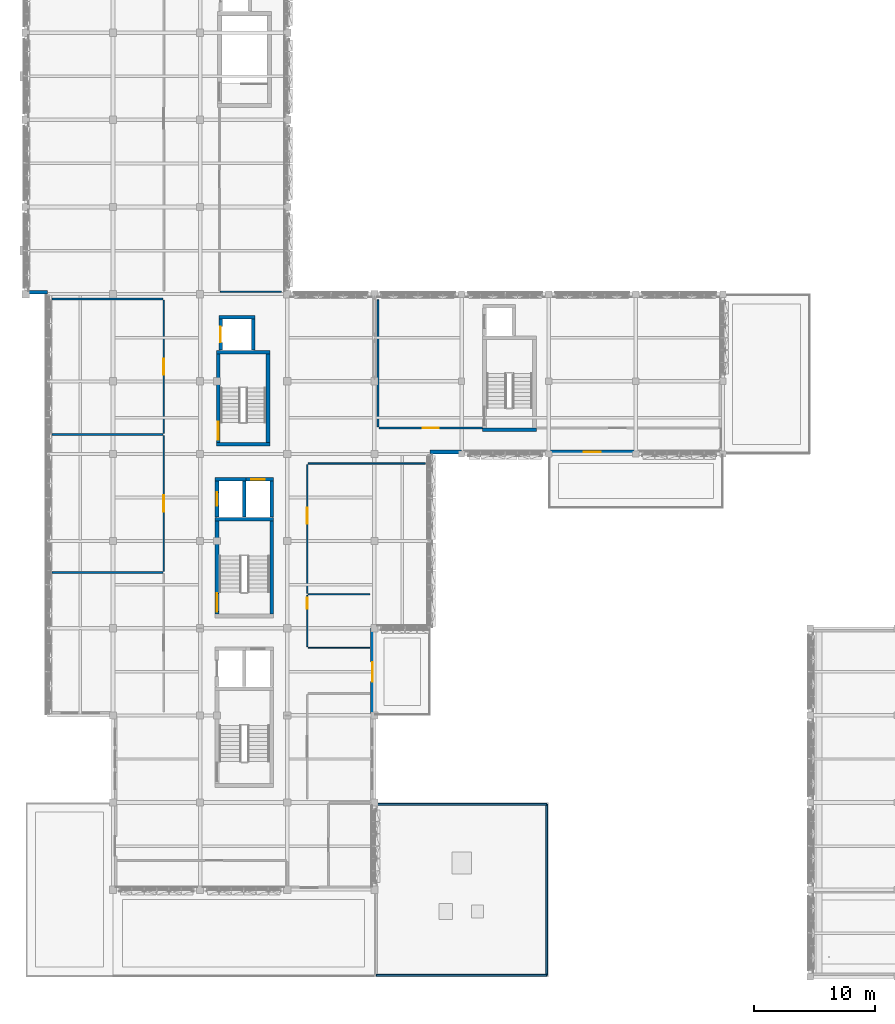
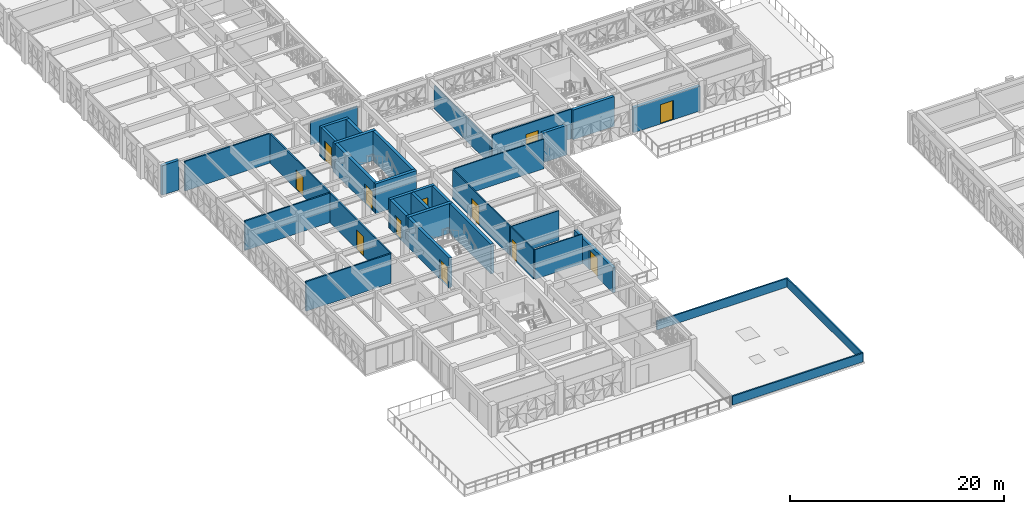
# One storey, part 41 of 74: 36 walls, 12 doors, 12 openings.
"""IFC4 building model written with IfcOpenShell, lengths in metres."""

from ifc_helpers import new_model, si_unit, direction, frame, frame_2d, origin, place, context, subcontext, project, spatial, rectangle, extrude, material, layer, layer_set, type_object, element, fill, save


model = new_model("IFC4")

# Units and contexts
model_context = context("Model", 3, precision=1e-05, world=origin(), true_north=direction((0.0, 1.0)))
body_context = subcontext(model_context, "Body", "Model", "MODEL_VIEW")
ifc_project = project(units=[si_unit("LENGTHUNIT", "METRE"), si_unit("AREAUNIT", "SQUARE_METRE"), si_unit("VOLUMEUNIT", "CUBIC_METRE"), si_unit("PLANEANGLEUNIT", "RADIAN"), si_unit("MASSUNIT", "GRAM", prefix="KILO")], contexts=[model_context])

# Site, building, storey
site_placement = place(None, origin())
site = spatial("IfcSite", under=ifc_project, at=site_placement, CompositionType="ELEMENT")
building_placement = place(site_placement, origin())
building = spatial("IfcBuilding", under=site, at=building_placement, Name="Alvorim Cloister Faculty of Sciences", CompositionType="ELEMENT")
storey_placement = place(building_placement, frame((0.0, 0.0, 15.75)))
storey = spatial("IfcBuildingStorey", under=building, at=storey_placement, Name="L04", CompositionType="ELEMENT", Elevation=15.75)

# Wall
ifc_material_1 = material(Name="Precast Concrete C40", Category="concrete")
ifc_layer_1 = layer(ifc_material_1, 0.320068359375)
ifc_layer_set_1 = layer_set([ifc_layer_1], Name="Precast Concrete C40")
wall_type_1 = type_object("IfcWallType", Name="WL-EXT-PC-320", PredefinedType="SOLIDWALL", material=ifc_layer_set_1)
wall_1_placement = place(storey_placement, frame((0.0, 56.56005859375, 0.0), z_axis=(0.0, 0.0, 1.0), x_axis=(1.0, 0.0, 0.0)))
element("IfcWall", 1, at=wall_1_placement, inside=storey, type_object=wall_type_1, Name="L04 Exterior Wall WL-0212", PredefinedType="SOLIDWALL", context=body_context, shape_type="SweptSolid", body=[
    extrude(rectangle(XDim=1.800048828125, YDim=0.320068359375, at=frame_2d((0.89990234375, 0.0))), origin(), (0.0, 0.0, 1.0), 3.3798828125),
])

# Wall, opening, door
wall_2_placement = place(storey_placement, frame((43.199951171875, 43.360107421875, 0.0), z_axis=(0.0, 0.0, 1.0), x_axis=(1.0, 0.0, 0.0)))
wall_2 = element("IfcWall", 2, at=wall_2_placement, inside=storey, type_object=wall_type_1, Name="L04 Exterior Wall WL-0214", PredefinedType="SOLIDWALL", context=body_context, shape_type="SweptSolid", body=[
    extrude(rectangle(XDim=7.199951171875, YDim=0.320068359375, at=frame_2d((3.60009765625, 0.0))), origin(), (0.0, 0.0, 1.0), 2.840087890625),
])
opening_1_placement = place(wall_2_placement, frame((2.89990234375, 0.0, 0.0)))
opening_1 = element("IfcOpeningElement", 3, at=opening_1_placement, cuts=wall_2, Name="Opening TD-08", PredefinedType="OPENING", context=body_context, shape_type="SweptSolid", body=[
    extrude(rectangle(XDim=1.39990234375, YDim=2.199951171875, at=frame_2d((0.699951171875, 1.10009765625))), frame((0.0, 0.171875, 0.0), z_axis=(0.0, -1.0, 0.0), x_axis=(1.0, 0.0, 0.0)), (0.0, 0.0, 1.0), 0.343994140625),
])
ifc_material_2 = material(Name="Aluminium Alloy 6063-T6", Category="aluminium")
door_type_1 = type_object("IfcDoorType", Name="DR-TER-1400x2200", OperationType="NOTDEFINED", PredefinedType="DOOR", material=ifc_material_2)
door_1_placement = place(opening_1_placement, origin())
door_1 = element("IfcDoor", 4, at=door_1_placement, inside=storey, type_object=door_type_1, Name="L04 North Cloister Cantilever Overlook Deck Access Door TD-08", OperationType="DOUBLE_DOOR_SINGLE_SWING", OverallHeight=2.199951171875, OverallWidth=1.39990234375, PredefinedType="DOOR", context=body_context, shape_type="SweptSolid", body=[
    extrude(rectangle(XDim=1.39990234375, YDim=2.199951171875, at=frame_2d((0.699951171875, 1.10009765625))), frame((0.0, 0.02490234375, 0.0), z_axis=(0.0, -1.0, 0.0), x_axis=(1.0, 0.0, 0.0)), (0.0, 0.0, 1.0), 0.050048828125),
])
fill(opening_1, door_1)

# Wall
wall_3_placement = place(storey_placement, frame((33.39990234375, 43.360107421875, 0.0), z_axis=(0.0, 0.0, 1.0), x_axis=(1.0, 0.0, 0.0)))
element("IfcWall", 5, at=wall_3_placement, inside=storey, type_object=wall_type_1, Name="L04 Exterior Wall WL-0215", PredefinedType="SOLIDWALL", context=body_context, shape_type="SweptSolid", body=[
    extrude(rectangle(XDim=2.60009765625, YDim=0.320068359375, at=frame_2d((1.300048828125, 0.0))), origin(), (0.0, 0.0, 1.0), 3.3798828125),
])

# Wall, opening, door
wall_4_placement = place(storey_placement, frame((28.639892578125, 21.60009765625, 0.0), z_axis=(0.0, 0.0, 1.0), x_axis=(0.0, 1.0, 0.0)))
wall_4 = element("IfcWall", 6, at=wall_4_placement, inside=storey, type_object=wall_type_1, Name="L04 Exterior Wall WL-0216", PredefinedType="SOLIDWALL", context=body_context, shape_type="SweptSolid", body=[
    extrude(rectangle(XDim=7.199951171875, YDim=0.320068359375, at=frame_2d((3.60009765625, 0.0))), origin(), (0.0, 0.0, 1.0), 2.840087890625),
])
opening_2_placement = place(wall_4_placement, frame((2.800048828125, 0.0, 0.0)))
opening_2 = element("IfcOpeningElement", 7, at=opening_2_placement, cuts=wall_4, Name="Opening TD-07", PredefinedType="OPENING", context=body_context, shape_type="SweptSolid", body=[
    extrude(rectangle(XDim=1.60009765625, YDim=2.25, at=frame_2d((0.800048828125, 1.125))), frame((0.0, 0.171875, 0.0), z_axis=(0.0, -1.0, 0.0), x_axis=(1.0, 0.0, 0.0)), (0.0, 0.0, 1.0), 0.343994140625),
])
door_type_2 = type_object("IfcDoorType", Name="DR-TER-1600x2250", OperationType="NOTDEFINED", PredefinedType="DOOR", material=ifc_material_2)
door_2_placement = place(opening_2_placement, origin())
door_2 = element("IfcDoor", 8, at=door_2_placement, inside=storey, type_object=door_type_2, Name="L04 East Cloister Cantilever Sky Terrace Access Door TD-07", OperationType="DOUBLE_DOOR_SINGLE_SWING", OverallHeight=2.25, OverallWidth=1.60009765625, PredefinedType="DOOR", context=body_context, shape_type="SweptSolid", body=[
    extrude(rectangle(XDim=1.60009765625, YDim=2.25, at=frame_2d((0.800048828125, 1.125))), frame((0.0, 0.02490234375, 0.0), z_axis=(0.0, -1.0, 0.0), x_axis=(1.0, 0.0, 0.0)), (0.0, 0.0, 1.0), 0.050048828125),
])
fill(opening_2, door_2)

# Walls
ifc_layer_2 = layer(ifc_material_1, 0.159912109375)
ifc_layer_set_2 = layer_set([ifc_layer_2], Name="Precast Concrete C40")
wall_type_2 = type_object("IfcWallType", Name="WL-PAR-160", PredefinedType="PARAPET", material=ifc_layer_set_2)
for number, where, z_axis, x_axis, name in (
    (9, (43.050048828125, 0.14990234375, 0.10009765625), (0.0, 0.0, 1.0), (0.0, 1.0, 0.0), "RF-V4S Roof Parapet WL-PAR-0255"),
    (10, (43.050048828125, 14.25, 0.10009765625), (0.0, 0.0, 1.0), (-1.0, 0.0, 0.0), "RF-V4S Roof Parapet WL-PAR-0256"),
    (11, (28.949951171875, 0.14990234375, 0.10009765625), (0.0, 0.0, 1.0), (1.0, 0.0, 0.0), "RF-V4S Roof Parapet WL-PAR-0258"),
):
    element("IfcWall", number, at=place(storey_placement, frame(where, z_axis=z_axis, x_axis=x_axis)), inside=storey, type_object=wall_type_2, Name=name, PredefinedType="PARAPET", context=body_context, shape_type="SweptSolid", body=[
        extrude(rectangle(XDim=14.10009765625, YDim=0.159912109375, at=frame_2d((7.050048828125, 0.0))), origin(), (0.0, 0.0, 1.0), 1.0),
    ])

# Wall, opening, door
ifc_material_3 = material(Name="Moisture-Resistant Tile Stud Partition", Category="gypsum")
ifc_layer_3 = layer(ifc_material_3, 0.10009765625)
ifc_layer_set_3 = layer_set([ifc_layer_3], Name="Moisture-Resistant Tile Stud Partition")
wall_type_3 = type_object("IfcWallType", Name="WL-PRT-100", PredefinedType="PARTITIONING", material=ifc_layer_set_3)
wall_5_placement = place(storey_placement, frame((23.25, 27.280029296875, 0.0), z_axis=(0.0, 0.0, 1.0), x_axis=(0.0, 1.0, 0.0)))
wall_5 = element("IfcWall", 12, at=wall_5_placement, inside=storey, type_object=wall_type_3, Name="L04 L04 Accessible WCs Partition IWL-0626", PredefinedType="PARTITIONING", context=body_context, shape_type="SweptSolid", body=[
    extrude(rectangle(XDim=4.239990234375, YDim=0.10009765625, at=frame_2d((2.1201171875, 0.0))), origin(), (0.0, 0.0, 1.0), 3.375),
])
opening_3_placement = place(wall_5_placement, frame((3.1201171875, 0.0, 0.0)))
opening_3 = element("IfcOpeningElement", 13, at=opening_3_placement, cuts=wall_5, Name="Opening D-L04-171", PredefinedType="OPENING", context=body_context, shape_type="SweptSolid", body=[
    extrude(rectangle(XDim=0.89990234375, YDim=2.10009765625, at=frame_2d((0.449951171875, 1.050048828125))), frame((0.0, 0.06201171875, 0.0), z_axis=(0.0, -1.0, 0.0), x_axis=(1.0, 0.0, 0.0)), (0.0, 0.0, 1.0), 0.1240234375),
])
ifc_material_4 = material(Name="Moisture-Resistant Laminate Timber", Category="wood")
door_type_3 = type_object("IfcDoorType", Name="DR-WC-900x2100", OperationType="NOTDEFINED", PredefinedType="DOOR", material=ifc_material_4)
door_3_placement = place(opening_3_placement, origin())
door_3 = element("IfcDoor", 14, at=door_3_placement, inside=storey, type_object=door_type_3, Name="L04 Accessible WCs Door D-L04-171", OperationType="SINGLE_SWING_LEFT", OverallHeight=2.10009765625, OverallWidth=0.89990234375, PredefinedType="DOOR", context=body_context, shape_type="SweptSolid", body=[
    extrude(rectangle(XDim=0.89990234375, YDim=2.10009765625, at=frame_2d((0.449951171875, 1.050048828125))), frame((0.0, 0.02490234375, 0.0), z_axis=(0.0, -1.0, 0.0), x_axis=(1.0, 0.0, 0.0)), (0.0, 0.0, 1.0), 0.050048828125),
])
fill(opening_3, door_3)

# Walls
for number, where, z_axis, x_axis, name in (
    (15, (23.330078125, 27.199951171875, 0.0), (0.0, 0.0, 1.0), (1.0, 0.0, 0.0), "L04 L04 Accessible WCs Partition IWL-0627"),
    (16, (23.330078125, 31.60009765625, 0.0), (0.0, 0.0, 1.0), (1.0, 0.0, 0.0), "L04 L04 Accessible WCs Partition IWL-0628"),
):
    element("IfcWall", number, at=place(storey_placement, frame(where, z_axis=z_axis, x_axis=x_axis)), inside=storey, type_object=wall_type_3, Name=name, PredefinedType="PARTITIONING", context=body_context, shape_type="SweptSolid", body=[
        extrude(rectangle(XDim=5.08984375, YDim=0.10009765625, at=frame_2d((2.544921875, 0.0))), origin(), (0.0, 0.0, 1.0), 3.375),
    ])

# Wall, opening, door
ifc_material_5 = material(Name="Acoustic Gypsum Stud Partition", Category="gypsum")
ifc_layer_4 = layer(ifc_material_5, 0.1201171875)
ifc_layer_set_4 = layer_set([ifc_layer_4], Name="Acoustic Gypsum Stud Partition")
wall_type_4 = type_object("IfcWallType", Name="WL-PRT-120", PredefinedType="PARTITIONING", material=ifc_layer_set_4)
wall_6_placement = place(storey_placement, frame((23.25, 31.679931640625, 0.0), z_axis=(0.0, 0.0, 1.0), x_axis=(0.0, 1.0, 0.0)))
wall_6 = element("IfcWall", 17, at=wall_6_placement, inside=storey, type_object=wall_type_4, Name="L04 East Cantilevered Cloister Colloquium Partition IWL-0629", PredefinedType="PARTITIONING", context=body_context, shape_type="SweptSolid", body=[
    extrude(rectangle(XDim=10.64013671875, YDim=0.1201171875, at=frame_2d((5.320068359375, 0.0))), origin(), (0.0, 0.0, 1.0), 3.375),
])
opening_4_placement = place(wall_6_placement, frame((5.77001953125, 0.0, 0.0)))
opening_4 = element("IfcOpeningElement", 18, at=opening_4_placement, cuts=wall_6, Name="Opening D-L04-172", PredefinedType="OPENING", context=body_context, shape_type="SweptSolid", body=[
    extrude(rectangle(XDim=1.320068359375, YDim=2.199951171875, at=frame_2d((0.66015625, 1.10009765625))), frame((0.0, 0.072021484375, 0.0), z_axis=(0.0, -1.0, 0.0), x_axis=(1.0, 0.0, 0.0)), (0.0, 0.0, 1.0), 0.14404296875),
])
ifc_material_6 = material(Name="Solid Acoustic Oak Timber", Category="wood")
door_type_4 = type_object("IfcDoorType", Name="DR-SEM-1320x2200", OperationType="NOTDEFINED", PredefinedType="DOOR", material=ifc_material_6)
door_4_placement = place(opening_4_placement, origin())
door_4 = element("IfcDoor", 19, at=door_4_placement, inside=storey, type_object=door_type_4, Name="East Cantilevered Cloister Colloquium Door D-L04-172", OperationType="SINGLE_SWING_RIGHT", OverallHeight=2.199951171875, OverallWidth=1.320068359375, PredefinedType="DOOR", context=body_context, shape_type="SweptSolid", body=[
    extrude(rectangle(XDim=1.320068359375, YDim=2.199951171875, at=frame_2d((0.66015625, 1.10009765625))), frame((0.0, 0.02490234375, 0.0), z_axis=(0.0, -1.0, 0.0), x_axis=(1.0, 0.0, 0.0)), (0.0, 0.0, 1.0), 0.050048828125),
])
fill(opening_4, door_4)

# Walls
wall_7_placement = place(storey_placement, frame((23.330078125, 42.39990234375, 0.0), z_axis=(0.0, 0.0, 1.0), x_axis=(1.0, 0.0, 0.0)))
element("IfcWall", 20, at=wall_7_placement, inside=storey, type_object=wall_type_4, Name="L04 East Cantilevered Cloister Colloquium Partition IWL-0630", PredefinedType="PARTITIONING", context=body_context, shape_type="SweptSolid", body=[
    extrude(rectangle(XDim=9.68994140625, YDim=0.1201171875, at=frame_2d((4.844970703125, 0.0))), origin(), (0.0, 0.0, 1.0), 3.375),
])
wall_8_placement = place(storey_placement, frame((16.080078125, 56.60009765625, 0.0), z_axis=(0.0, 0.0, 1.0), x_axis=(1.0, 0.0, 0.0)))
element("IfcWall", 21, at=wall_8_placement, inside=storey, type_object=wall_type_4, Name="L04 High-Performance Scientific Computing Room Partition IWL-0638", PredefinedType="PARTITIONING", context=body_context, shape_type="SweptSolid", body=[
    extrude(rectangle(XDim=5.0400390625, YDim=0.1201171875, at=frame_2d((2.52001953125, 0.0))), origin(), (0.0, 0.0, 1.0), 2.69091796875),
])
ifc_material_7 = material(Name="Gypsum Fireboard Stud Partition", Category="gypsum")
ifc_layer_5 = layer(ifc_material_7, 0.14990234375)
ifc_layer_set_5 = layer_set([ifc_layer_5], Name="Gypsum Fireboard Stud Partition")
wall_type_5 = type_object("IfcWallType", Name="WL-PRT-150", PredefinedType="PARTITIONING", material=ifc_layer_set_5)
wall_9_placement = place(storey_placement, frame((2.179931640625, 33.39990234375, 0.0), z_axis=(0.0, 0.0, 1.0), x_axis=(1.0, 0.0, 0.0)))
element("IfcWall", 22, at=wall_9_placement, inside=storey, type_object=wall_type_5, Name="L04 Cantilevered Atmospheric Chemistry Lab Partition IWL-0619", PredefinedType="PARTITIONING", context=body_context, shape_type="SweptSolid", body=[
    extrude(rectangle(XDim=9.14013671875, YDim=0.14990234375, at=frame_2d((4.570068359375, 0.0))), origin(), (0.0, 0.0, 1.0), 3.375),
])

# Wall, opening, door
wall_10_placement = place(storey_placement, frame((11.39990234375, 33.47998046875, 0.0), z_axis=(0.0, 0.0, 1.0), x_axis=(0.0, 1.0, 0.0)))
wall_10 = element("IfcWall", 23, at=wall_10_placement, inside=storey, type_object=wall_type_5, Name="L04 Cantilevered Environmental Genomics Lab Partition IWL-0620", PredefinedType="PARTITIONING", context=body_context, shape_type="SweptSolid", body=[
    extrude(rectangle(XDim=11.239990234375, YDim=0.14990234375, at=frame_2d((5.6201171875, 0.0))), origin(), (0.0, 0.0, 1.0), 3.375),
])
opening_5_placement = place(wall_10_placement, frame((4.945068359375, 0.0, 0.0)))
opening_5 = element("IfcOpeningElement", 24, at=opening_5_placement, cuts=wall_10, Name="Opening D-L04-168", PredefinedType="OPENING", context=body_context, shape_type="SweptSolid", body=[
    extrude(rectangle(XDim=1.35009765625, YDim=2.199951171875, at=frame_2d((0.675048828125, 1.10009765625))), frame((0.0, 0.0869140625, 0.0), z_axis=(0.0, -1.0, 0.0), x_axis=(1.0, 0.0, 0.0)), (0.0, 0.0, 1.0), 0.173828125),
])
ifc_material_8 = material(Name="Fire-Rated Laminate Timber", Category="wood")
door_type_5 = type_object("IfcDoorType", Name="DR-LAB-1350x2200", OperationType="NOTDEFINED", PredefinedType="DOOR", material=ifc_material_8)
door_5_placement = place(opening_5_placement, origin())
door_5 = element("IfcDoor", 25, at=door_5_placement, inside=storey, type_object=door_type_5, Name="Cantilevered Environmental Genomics Lab Door D-L04-168", OperationType="SINGLE_SWING_LEFT", OverallHeight=2.199951171875, OverallWidth=1.35009765625, PredefinedType="DOOR", context=body_context, shape_type="SweptSolid", body=[
    extrude(rectangle(XDim=1.35009765625, YDim=2.199951171875, at=frame_2d((0.675048828125, 1.10009765625))), frame((0.0, 0.02490234375, 0.0), z_axis=(0.0, -1.0, 0.0), x_axis=(1.0, 0.0, 0.0)), (0.0, 0.0, 1.0), 0.050048828125),
])
fill(opening_5, door_5)

# Wall
wall_11_placement = place(storey_placement, frame((2.179931640625, 44.800048828125, 0.0), z_axis=(0.0, 0.0, 1.0), x_axis=(1.0, 0.0, 0.0)))
element("IfcWall", 26, at=wall_11_placement, inside=storey, type_object=wall_type_5, Name="L04 Cantilevered Environmental Genomics Lab Partition IWL-0621", PredefinedType="PARTITIONING", context=body_context, shape_type="SweptSolid", body=[
    extrude(rectangle(XDim=9.14013671875, YDim=0.14990234375, at=frame_2d((4.570068359375, 0.0))), origin(), (0.0, 0.0, 1.0), 3.375),
])

# Wall, opening, door
wall_12_placement = place(storey_placement, frame((11.39990234375, 44.8798828125, 0.0), z_axis=(0.0, 0.0, 1.0), x_axis=(0.0, 1.0, 0.0)))
wall_12 = element("IfcWall", 27, at=wall_12_placement, inside=storey, type_object=wall_type_5, Name="L04 Cantilevered Cleanroom Trace-Metal Lab Partition IWL-0622", PredefinedType="PARTITIONING", context=body_context, shape_type="SweptSolid", body=[
    extrude(rectangle(XDim=11.0400390625, YDim=0.14990234375, at=frame_2d((5.52001953125, 0.0))), origin(), (0.0, 0.0, 1.0), 3.375),
])
opening_6_placement = place(wall_12_placement, frame((4.844970703125, 0.0, 0.0)))
opening_6 = element("IfcOpeningElement", 28, at=opening_6_placement, cuts=wall_12, Name="Opening D-L04-169", PredefinedType="OPENING", context=body_context, shape_type="SweptSolid", body=[
    extrude(rectangle(XDim=1.35009765625, YDim=2.199951171875, at=frame_2d((0.675048828125, 1.10009765625))), frame((0.0, 0.0869140625, 0.0), z_axis=(0.0, -1.0, 0.0), x_axis=(1.0, 0.0, 0.0)), (0.0, 0.0, 1.0), 0.173828125),
])
door_6_placement = place(opening_6_placement, origin())
door_6 = element("IfcDoor", 29, at=door_6_placement, inside=storey, type_object=door_type_5, Name="Cantilevered Cleanroom Trace-Metal Lab Door D-L04-169", OperationType="SINGLE_SWING_RIGHT", OverallHeight=2.199951171875, OverallWidth=1.35009765625, PredefinedType="DOOR", context=body_context, shape_type="SweptSolid", body=[
    extrude(rectangle(XDim=1.35009765625, YDim=2.199951171875, at=frame_2d((0.675048828125, 1.10009765625))), frame((0.0, 0.02490234375, 0.0), z_axis=(0.0, -1.0, 0.0), x_axis=(1.0, 0.0, 0.0)), (0.0, 0.0, 1.0), 0.050048828125),
])
fill(opening_6, door_6)

# Walls
wall_13_placement = place(storey_placement, frame((2.179931640625, 56.0, 0.0), z_axis=(0.0, 0.0, 1.0), x_axis=(1.0, 0.0, 0.0)))
element("IfcWall", 30, at=wall_13_placement, inside=storey, type_object=wall_type_5, Name="L04 Cantilevered Cleanroom Trace-Metal Lab Partition IWL-0623", PredefinedType="PARTITIONING", context=body_context, shape_type="SweptSolid", body=[
    extrude(rectangle(XDim=9.14013671875, YDim=0.14990234375, at=frame_2d((4.570068359375, 0.0))), origin(), (0.0, 0.0, 1.0), 3.375),
])
wall_14_placement = place(storey_placement, frame((29.10009765625, 45.429931640625, 0.0), z_axis=(0.0, 0.0, 1.0), x_axis=(0.0, 1.0, 0.0)))
element("IfcWall", 31, at=wall_14_placement, inside=storey, type_object=wall_type_5, Name="L04 Biochemistry Proteomics Lab Partition IWL-0631", PredefinedType="PARTITIONING", context=body_context, shape_type="SweptSolid", body=[
    extrude(rectangle(XDim=10.489990234375, YDim=0.14990234375, at=frame_2d((5.2451171875, 0.0))), origin(), (0.0, 0.0, 1.0), 2.655029296875),
])

# Wall, opening, door
wall_15_placement = place(storey_placement, frame((29.179931640625, 45.35009765625, 0.0), z_axis=(0.0, 0.0, 1.0), x_axis=(1.0, 0.0, 0.0)))
wall_15 = element("IfcWall", 32, at=wall_15_placement, inside=storey, type_object=wall_type_5, Name="L04 Biochemistry Proteomics Lab Partition IWL-0632", PredefinedType="PARTITIONING", context=body_context, shape_type="SweptSolid", body=[
    extrude(rectangle(XDim=8.5400390625, YDim=0.14990234375, at=frame_2d((4.27001953125, 0.0))), origin(), (0.0, 0.0, 1.0), 3.375),
])
opening_7_placement = place(wall_15_placement, frame((3.594970703125, 0.0, 0.0)))
opening_7 = element("IfcOpeningElement", 33, at=opening_7_placement, cuts=wall_15, Name="Opening D-L04-173", PredefinedType="OPENING", context=body_context, shape_type="SweptSolid", body=[
    extrude(rectangle(XDim=1.35009765625, YDim=2.199951171875, at=frame_2d((0.675048828125, 1.10009765625))), frame((0.0, 0.0869140625, 0.0), z_axis=(0.0, -1.0, 0.0), x_axis=(1.0, 0.0, 0.0)), (0.0, 0.0, 1.0), 0.173828125),
])
door_7_placement = place(opening_7_placement, origin())
door_7 = element("IfcDoor", 34, at=door_7_placement, inside=storey, type_object=door_type_5, Name="Biochemistry Proteomics Lab Door D-L04-173", OperationType="SINGLE_SWING_LEFT", OverallHeight=2.199951171875, OverallWidth=1.35009765625, PredefinedType="DOOR", context=body_context, shape_type="SweptSolid", body=[
    extrude(rectangle(XDim=1.35009765625, YDim=2.199951171875, at=frame_2d((0.675048828125, 1.10009765625))), frame((0.0, 0.02490234375, 0.0), z_axis=(0.0, -1.0, 0.0), x_axis=(1.0, 0.0, 0.0)), (0.0, 0.0, 1.0), 0.050048828125),
])
fill(opening_7, door_7)

# Wall
ifc_material_9 = material(Name="Concrete C40", Category="concrete")
ifc_layer_6 = layer(ifc_material_9, 0.300048828125)
ifc_layer_set_6 = layer_set([ifc_layer_6], Name="Concrete C40")
wall_type_6 = type_object("IfcWallType", Name="WL-SHR-300", PredefinedType="SHEAR", material=ifc_layer_set_6)
wall_16_placement = place(storey_placement, frame((15.64990234375, 41.10009765625, 0.0), z_axis=(0.0, 0.0, 1.0), x_axis=(1.0, 0.0, 0.0)))
element("IfcWall", 35, at=wall_16_placement, inside=storey, type_object=wall_type_6, Name="L04 Lift LP-02 Shaft Wall IWL-0303", PredefinedType="SHEAR", context=body_context, shape_type="SweptSolid", body=[
    extrude(rectangle(XDim=2.56005859375, YDim=0.300048828125, at=frame_2d((1.280029296875, 0.0))), origin(), (0.0, 0.0, 1.0), 3.389892578125),
])

# Wall, opening, door
wall_17_placement = place(storey_placement, frame((15.800048828125, 37.97998046875, 0.0), z_axis=(0.0, 0.0, 1.0), x_axis=(0.0, 1.0, 0.0)))
wall_17 = element("IfcWall", 36, at=wall_17_placement, inside=storey, type_object=wall_type_6, Name="L04 Lift LP-02 Shaft Wall IWL-0304", PredefinedType="SHEAR", context=body_context, shape_type="SweptSolid", body=[
    extrude(rectangle(XDim=2.969970703125, YDim=0.300048828125, at=frame_2d((1.48486328125, 0.0))), origin(), (0.0, 0.0, 1.0), 3.389892578125),
])
opening_8_placement = place(wall_17_placement, frame((0.93505859375, 0.0, 0.0)))
opening_8 = element("IfcOpeningElement", 37, at=opening_8_placement, cuts=wall_17, Name="Opening LD-028", PredefinedType="OPENING", context=body_context, shape_type="SweptSolid", body=[
    extrude(rectangle(XDim=1.10009765625, YDim=2.199951171875, at=frame_2d((0.550048828125, 1.10009765625))), frame((0.0, 0.162109375, 0.0), z_axis=(0.0, -1.0, 0.0), x_axis=(1.0, 0.0, 0.0)), (0.0, 0.0, 1.0), 0.323974609375),
])
ifc_material_10 = material(Name="Brushed Stainless Steel", Category="steel")
door_type_6 = type_object("IfcDoorType", Name="DR-LFT-1100x2200", OperationType="NOTDEFINED", PredefinedType="DOOR", material=ifc_material_10)
door_8_placement = place(opening_8_placement, origin())
door_8 = element("IfcDoor", 38, at=door_8_placement, inside=storey, type_object=door_type_6, Name="L04 Lift LP-02 Sliding Landing Door LD-028", OperationType="DOUBLE_DOOR_SLIDING", OverallHeight=2.199951171875, OverallWidth=1.10009765625, PredefinedType="DOOR", context=body_context, shape_type="SweptSolid", body=[
    extrude(rectangle(XDim=1.10009765625, YDim=2.199951171875, at=frame_2d((0.550048828125, 1.10009765625))), frame((0.0, 0.02490234375, 0.0), z_axis=(0.0, -1.0, 0.0), x_axis=(1.0, 0.0, 0.0)), (0.0, 0.0, 1.0), 0.050048828125),
])
fill(opening_8, door_8)

# Wall
wall_18_placement = place(storey_placement, frame((18.06005859375, 37.97998046875, 0.0), z_axis=(0.0, 0.0, 1.0), x_axis=(0.0, 1.0, 0.0)))
element("IfcWall", 39, at=wall_18_placement, inside=storey, type_object=wall_type_6, Name="L04 Lift LP-02 Shaft Wall IWL-0305", PredefinedType="SHEAR", context=body_context, shape_type="SweptSolid", body=[
    extrude(rectangle(XDim=2.969970703125, YDim=0.300048828125, at=frame_2d((1.48486328125, 0.0))), origin(), (0.0, 0.0, 1.0), 3.389892578125),
])

# Wall, opening, door
wall_19_placement = place(storey_placement, frame((17.909912109375, 41.10009765625, 0.0), z_axis=(0.0, 0.0, 1.0), x_axis=(1.0, 0.0, 0.0)))
wall_19 = element("IfcWall", 40, at=wall_19_placement, inside=storey, type_object=wall_type_6, Name="L04 Lift LP-03 Shaft Wall IWL-0328", PredefinedType="SHEAR", context=body_context, shape_type="SweptSolid", body=[
    extrude(rectangle(XDim=2.56005859375, YDim=0.300048828125, at=frame_2d((1.280029296875, 0.0))), origin(), (0.0, 0.0, 1.0), 3.389892578125),
])
opening_9_placement = place(wall_19_placement, frame((0.72998046875, 0.0, 0.0)))
opening_9 = element("IfcOpeningElement", 41, at=opening_9_placement, cuts=wall_19, Name="Opening LD-038", PredefinedType="OPENING", context=body_context, shape_type="SweptSolid", body=[
    extrude(rectangle(XDim=1.10009765625, YDim=2.199951171875, at=frame_2d((0.550048828125, 1.10009765625))), frame((0.0, 0.162109375, 0.0), z_axis=(0.0, -1.0, 0.0), x_axis=(1.0, 0.0, 0.0)), (0.0, 0.0, 1.0), 0.323974609375),
])
door_9_placement = place(opening_9_placement, origin())
door_9 = element("IfcDoor", 42, at=door_9_placement, inside=storey, type_object=door_type_6, Name="L04 Lift LP-03 Sliding Landing Door LD-038", OperationType="DOUBLE_DOOR_SLIDING", OverallHeight=2.199951171875, OverallWidth=1.10009765625, PredefinedType="DOOR", context=body_context, shape_type="SweptSolid", body=[
    extrude(rectangle(XDim=1.10009765625, YDim=2.199951171875, at=frame_2d((0.550048828125, 1.10009765625))), frame((0.0, 0.02490234375, 0.0), z_axis=(0.0, -1.0, 0.0), x_axis=(1.0, 0.0, 0.0)), (0.0, 0.0, 1.0), 0.050048828125),
])
fill(opening_9, door_9)

# Walls
wall_20_placement = place(storey_placement, frame((20.320068359375, 37.97998046875, 0.0), z_axis=(0.0, 0.0, 1.0), x_axis=(0.0, 1.0, 0.0)))
element("IfcWall", 43, at=wall_20_placement, inside=storey, type_object=wall_type_6, Name="L04 Lift LP-03 Shaft Wall IWL-0329", PredefinedType="SHEAR", context=body_context, shape_type="SweptSolid", body=[
    extrude(rectangle(XDim=2.969970703125, YDim=0.300048828125, at=frame_2d((1.48486328125, 0.0))), origin(), (0.0, 0.0, 1.0), 3.389892578125),
])
wall_21_placement = place(storey_placement, frame((15.949951171875, 54.5, 0.0), z_axis=(0.0, 0.0, 1.0), x_axis=(1.0, 0.0, 0.0)))
element("IfcWall", 44, at=wall_21_placement, inside=storey, type_object=wall_type_6, Name="L04 Lift LG-01 Shaft Wall IWL-0395", PredefinedType="SHEAR", context=body_context, shape_type="SweptSolid", body=[
    extrude(rectangle(XDim=3.0, YDim=0.300048828125, at=frame_2d((1.5, 0.0))), origin(), (0.0, 0.0, 1.0), 3.389892578125),
])

# Wall, opening, door
wall_22_placement = place(storey_placement, frame((16.10009765625, 51.780029296875, 0.0), z_axis=(0.0, 0.0, 1.0), x_axis=(0.0, 1.0, 0.0)))
wall_22 = element("IfcWall", 45, at=wall_22_placement, inside=storey, type_object=wall_type_6, Name="L04 Lift LG-01 Shaft Wall IWL-0396", PredefinedType="SHEAR", context=body_context, shape_type="SweptSolid", body=[
    extrude(rectangle(XDim=2.570068359375, YDim=0.300048828125, at=frame_2d((1.28515625, 0.0))), origin(), (0.0, 0.0, 1.0), 3.389892578125),
])
opening_10_placement = place(wall_22_placement, frame((0.635009765625, 0.0, 0.0)))
opening_10 = element("IfcOpeningElement", 46, at=opening_10_placement, cuts=wall_22, Name="Opening LD-062", PredefinedType="OPENING", context=body_context, shape_type="SweptSolid", body=[
    extrude(rectangle(XDim=1.300048828125, YDim=2.25, at=frame_2d((0.64990234375, 1.125))), frame((0.0, 0.162109375, 0.0), z_axis=(0.0, -1.0, 0.0), x_axis=(1.0, 0.0, 0.0)), (0.0, 0.0, 1.0), 0.323974609375),
])
door_type_7 = type_object("IfcDoorType", Name="DR-LFT-1300x2250", OperationType="NOTDEFINED", PredefinedType="DOOR", material=ifc_material_10)
door_10_placement = place(opening_10_placement, origin())
door_10 = element("IfcDoor", 47, at=door_10_placement, inside=storey, type_object=door_type_7, Name="L04 Lift LG-01 Sliding Landing Door LD-062", OperationType="DOUBLE_DOOR_SLIDING", OverallHeight=2.25, OverallWidth=1.300048828125, PredefinedType="DOOR", context=body_context, shape_type="SweptSolid", body=[
    extrude(rectangle(XDim=1.300048828125, YDim=2.25, at=frame_2d((0.64990234375, 1.125))), frame((0.0, 0.02490234375, 0.0), z_axis=(0.0, -1.0, 0.0), x_axis=(1.0, 0.0, 0.0)), (0.0, 0.0, 1.0), 0.050048828125),
])
fill(opening_10, door_10)

# Walls
wall_23_placement = place(storey_placement, frame((18.800048828125, 51.780029296875, 0.0), z_axis=(0.0, 0.0, 1.0), x_axis=(0.0, 1.0, 0.0)))
element("IfcWall", 48, at=wall_23_placement, inside=storey, type_object=wall_type_6, Name="L04 Lift LG-01 Shaft Wall IWL-0397", PredefinedType="SHEAR", context=body_context, shape_type="SweptSolid", body=[
    extrude(rectangle(XDim=2.570068359375, YDim=0.300048828125, at=frame_2d((1.28515625, 0.0))), origin(), (0.0, 0.0, 1.0), 3.389892578125),
])
ifc_layer_7 = layer(ifc_material_9, 0.320068359375)
ifc_layer_set_7 = layer_set([ifc_layer_7], Name="Concrete C40")
wall_type_7 = type_object("IfcWallType", Name="WL-SHR-320", PredefinedType="SHEAR", material=ifc_layer_set_7)
wall_24_placement = place(storey_placement, frame((15.639892578125, 37.800048828125, 0.0), z_axis=(0.0, 0.0, 1.0), x_axis=(1.0, 0.0, 0.0)))
element("IfcWall", 49, at=wall_24_placement, inside=storey, type_object=wall_type_7, Name="L04 CORE K2 Shear Wall IWL-0066", PredefinedType="SHEAR", context=body_context, shape_type="SweptSolid", body=[
    extrude(rectangle(XDim=4.840087890625, YDim=0.320068359375, at=frame_2d((2.419921875, 0.0))), origin(), (0.0, 0.0, 1.0), 3.389892578125),
])

# Wall, opening, door
wall_25_placement = place(storey_placement, frame((15.800048828125, 29.9599609375, 0.0), z_axis=(0.0, 0.0, 1.0), x_axis=(0.0, 1.0, 0.0)))
wall_25 = element("IfcWall", 50, at=wall_25_placement, inside=storey, type_object=wall_type_7, Name="L04 CORE K2 Shear Wall IWL-0067", PredefinedType="SHEAR", context=body_context, shape_type="SweptSolid", body=[
    extrude(rectangle(XDim=7.679931640625, YDim=0.320068359375, at=frame_2d((3.83984375, 0.0))), origin(), (0.0, 0.0, 1.0), 3.389892578125),
])
opening_11_placement = place(wall_25_placement, frame((0.219970703125, 0.0, 0.0)))
opening_11 = element("IfcOpeningElement", 51, at=opening_11_placement, cuts=wall_25, Name="Opening SD-K2-L04", PredefinedType="OPENING", context=body_context, shape_type="SweptSolid", body=[
    extrude(rectangle(XDim=1.5, YDim=2.199951171875, at=frame_2d((0.75, 1.10009765625))), frame((0.0, 0.171875, 0.0), z_axis=(0.0, -1.0, 0.0), x_axis=(1.0, 0.0, 0.0)), (0.0, 0.0, 1.0), 0.343994140625),
])
ifc_material_11 = material(Name="Galvanised Fire-Rated Steel", Category="steel")
door_type_8 = type_object("IfcDoorType", Name="DR-STR-1500x2200", OperationType="NOTDEFINED", PredefinedType="DOOR", material=ifc_material_11)
door_11_placement = place(opening_11_placement, origin())
door_11 = element("IfcDoor", 52, at=door_11_placement, inside=storey, type_object=door_type_8, Name="L04 Stair ST-02 Fire Door SD-K2-L04", OperationType="DOUBLE_DOOR_SINGLE_SWING", OverallHeight=2.199951171875, OverallWidth=1.5, PredefinedType="DOOR", context=body_context, shape_type="SweptSolid", body=[
    extrude(rectangle(XDim=1.5, YDim=2.199951171875, at=frame_2d((0.75, 1.10009765625))), frame((0.0, 0.02490234375, 0.0), z_axis=(0.0, -1.0, 0.0), x_axis=(1.0, 0.0, 0.0)), (0.0, 0.0, 1.0), 0.050048828125),
])
fill(opening_11, door_11)

# Walls
wall_26_placement = place(storey_placement, frame((20.320068359375, 29.9599609375, 0.0), z_axis=(0.0, 0.0, 1.0), x_axis=(0.0, 1.0, 0.0)))
element("IfcWall", 53, at=wall_26_placement, inside=storey, type_object=wall_type_7, Name="L04 CORE K2 Shear Wall IWL-0068", PredefinedType="SHEAR", context=body_context, shape_type="SweptSolid", body=[
    extrude(rectangle(XDim=7.679931640625, YDim=0.320068359375, at=frame_2d((3.83984375, 0.0))), origin(), (0.0, 0.0, 1.0), 3.389892578125),
])
for number, where, z_axis, x_axis, name in (
    (54, (15.739990234375, 44.0, 0.0), (0.0, 0.0, 1.0), (1.0, 0.0, 0.0), "L04 CORE K3 Shear Wall IWL-0109"),
    (55, (15.739990234375, 51.60009765625, 0.0), (0.0, 0.0, 1.0), (1.0, 0.0, 0.0), "L04 CORE K3 Shear Wall IWL-0110"),
):
    element("IfcWall", number, at=place(storey_placement, frame(where, z_axis=z_axis, x_axis=x_axis)), inside=storey, type_object=wall_type_7, Name=name, PredefinedType="SHEAR", context=body_context, shape_type="SweptSolid", body=[
        extrude(rectangle(XDim=4.43994140625, YDim=0.320068359375, at=frame_2d((2.219970703125, 0.0))), origin(), (0.0, 0.0, 1.0), 3.389892578125),
    ])

# Wall, opening, door
wall_27_placement = place(storey_placement, frame((15.89990234375, 44.159912109375, 0.0), z_axis=(0.0, 0.0, 1.0), x_axis=(0.0, 1.0, 0.0)))
wall_27 = element("IfcWall", 56, at=wall_27_placement, inside=storey, type_object=wall_type_7, Name="L04 CORE K3 Shear Wall IWL-0111", PredefinedType="SHEAR", context=body_context, shape_type="SweptSolid", body=[
    extrude(rectangle(XDim=7.280029296875, YDim=0.320068359375, at=frame_2d((3.64013671875, 0.0))), origin(), (0.0, 0.0, 1.0), 3.389892578125),
])
opening_12_placement = place(wall_27_placement, frame((0.219970703125, 0.0, 0.0)))
opening_12 = element("IfcOpeningElement", 57, at=opening_12_placement, cuts=wall_27, Name="Opening SD-K3-L04", PredefinedType="OPENING", context=body_context, shape_type="SweptSolid", body=[
    extrude(rectangle(XDim=1.5, YDim=2.199951171875, at=frame_2d((0.75, 1.10009765625))), frame((0.0, 0.171875, 0.0), z_axis=(0.0, -1.0, 0.0), x_axis=(1.0, 0.0, 0.0)), (0.0, 0.0, 1.0), 0.343994140625),
])
door_12_placement = place(opening_12_placement, origin())
door_12 = element("IfcDoor", 58, at=door_12_placement, inside=storey, type_object=door_type_8, Name="L04 Stair ST-03 Fire Door SD-K3-L04", OperationType="DOUBLE_DOOR_SINGLE_SWING", OverallHeight=2.199951171875, OverallWidth=1.5, PredefinedType="DOOR", context=body_context, shape_type="SweptSolid", body=[
    extrude(rectangle(XDim=1.5, YDim=2.199951171875, at=frame_2d((0.75, 1.10009765625))), frame((0.0, 0.02490234375, 0.0), z_axis=(0.0, -1.0, 0.0), x_axis=(1.0, 0.0, 0.0)), (0.0, 0.0, 1.0), 0.050048828125),
])
fill(opening_12, door_12)

# Walls
wall_28_placement = place(storey_placement, frame((20.02001953125, 44.159912109375, 0.0), z_axis=(0.0, 0.0, 1.0), x_axis=(0.0, 1.0, 0.0)))
element("IfcWall", 59, at=wall_28_placement, inside=storey, type_object=wall_type_7, Name="L04 CORE K3 Shear Wall IWL-0112", PredefinedType="SHEAR", context=body_context, shape_type="SweptSolid", body=[
    extrude(rectangle(XDim=7.280029296875, YDim=0.320068359375, at=frame_2d((3.64013671875, 0.0))), origin(), (0.0, 0.0, 1.0), 3.389892578125),
])
wall_29_placement = place(storey_placement, frame((37.739990234375, 45.199951171875, 0.0), z_axis=(0.0, 0.0, 1.0), x_axis=(1.0, 0.0, 0.0)))
element("IfcWall", 60, at=wall_29_placement, inside=storey, type_object=wall_type_7, Name="L04 CORE K4 Shear Wall IWL-0149", PredefinedType="SHEAR", context=body_context, shape_type="SweptSolid", body=[
    extrude(rectangle(XDim=4.43994140625, YDim=0.320068359375, at=frame_2d((2.219970703125, 0.0))), origin(), (0.0, 0.0, 1.0), 3.389892578125),
])

save(model, "model.ifc")
